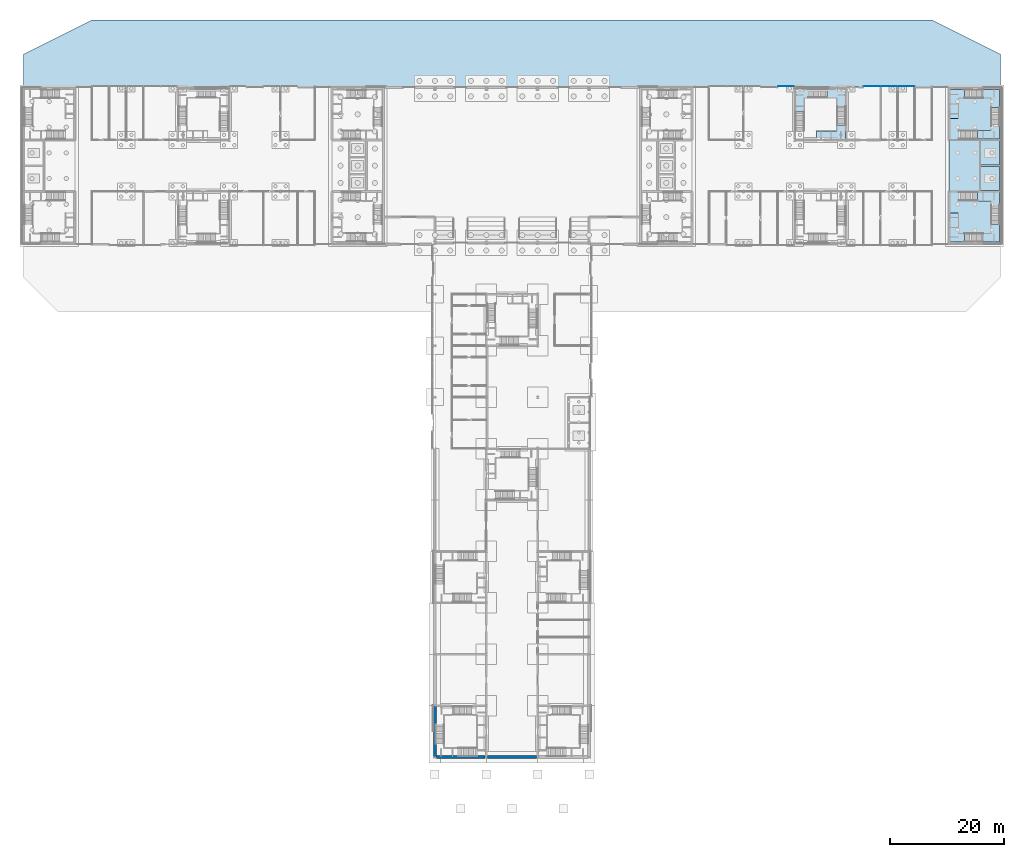
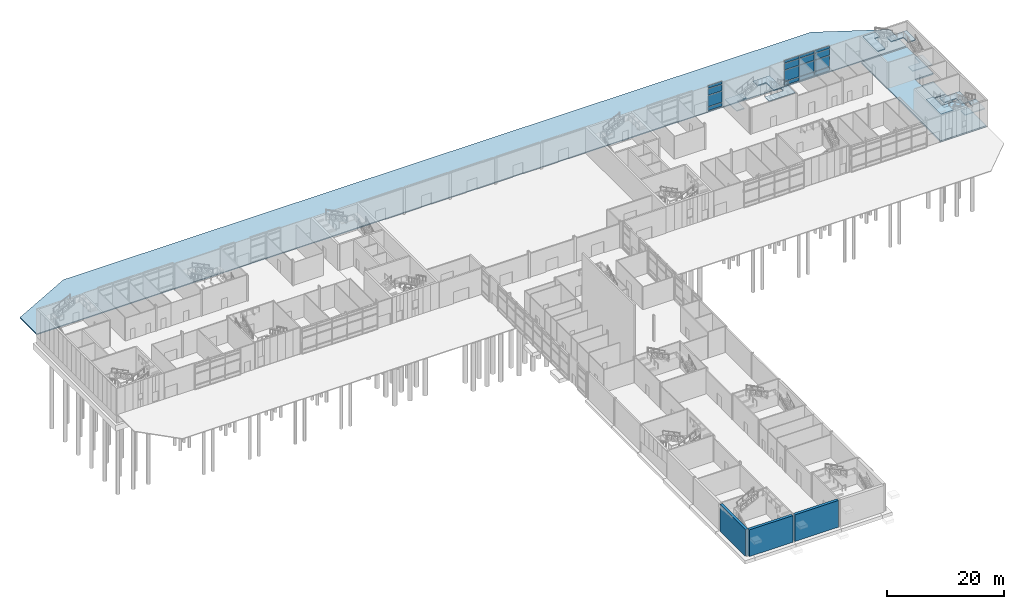
# One storey, part 25 of 45: 16 plates, 13 slabs, 3 walls, 5 elements without a shape of their own.
"""IFC4 building model written with IfcOpenShell, lengths in metres."""

import ifcopenshell
import ifcopenshell.guid

model = None  # the IFC model being written
_history = None  # IfcOwnerHistory: only IFC2X3 demands one
_inside = {}  # id of a spatial element -> (the spatial element, [elements in it])
_under = {}  # id of a project, library or spatial element -> (it, [spatial elements below it])
_declared = {}  # id of a project -> (the project, [libraries it declares])
_typed = {}  # id of a type object -> (the type object, [elements of that type])
_made_of = {}  # id of a material, layer set ... -> (it, [elements and type objects made of it])


def new_model(schema):
    """Start an empty IFC model of exactly this schema.

    Asked for "IFC4X3", IfcOpenShell would pick the latest addendum, in which some entities
    have other attributes; the version numbers below select the first issue.
    IFC2X3 requires an IfcOwnerHistory on every rooted entity: one is made here for all.
    """
    global model, _history
    if schema == "IFC4X3":
        model = ifcopenshell.file(schema_version=(4, 3, 0, 0))
    else:
        model = ifcopenshell.file(schema=schema)
    _inside.clear()
    _under.clear()
    _declared.clear()
    _typed.clear()
    _made_of.clear()
    _history = None
    if model.schema == "IFC2X3":
        org = make("IfcOrganization", Name="unknown")
        user = make(
            "IfcPersonAndOrganization",
            ThePerson=make("IfcPerson", FamilyName="unknown"),
            TheOrganization=org,
        )
        app = make(
            "IfcApplication",
            ApplicationDeveloper=org,
            Version="unknown",
            ApplicationFullName="unknown",
            ApplicationIdentifier="unknown",
        )
        _history = make(
            "IfcOwnerHistory",
            OwningUser=user,
            OwningApplication=app,
            ChangeAction="ADDED",
            CreationDate=0,
        )
    return model


def make(cls, **values):
    """One entity of the class cls with the attributes given. An attribute that is None is left unset."""
    return model.create_entity(
        cls, **{name: value for name, value in values.items() if value is not None}
    )


def rooted(cls, **values):
    """An entity with a GlobalId (a new one), such as an element, a storey or a relation."""
    return make(cls, GlobalId=ifcopenshell.guid.new(), OwnerHistory=_history, **values)


def si_unit(unit_type, name, prefix=None):
    """IfcSIUnit, for example si_unit("LENGTHUNIT", "METRE", prefix="MILLI")."""
    return make("IfcSIUnit", UnitType=unit_type, Prefix=prefix, Name=name)


def assignment(units):
    """IfcUnitAssignment: the units of a project."""
    return None if units is None else make("IfcUnitAssignment", Units=units)


def point(xyz):
    """IfcCartesianPoint."""
    return None if xyz is None else make("IfcCartesianPoint", Coordinates=xyz)


def direction(xyz):
    """IfcDirection."""
    return None if xyz is None else make("IfcDirection", DirectionRatios=xyz)


def frame(location, z_axis=None, x_axis=None):
    """IfcAxis2Placement3D, a coordinate frame: its origin and axes. An axis left out is left unset."""
    return make(
        "IfcAxis2Placement3D",
        Location=point(location),
        Axis=direction(z_axis),
        RefDirection=direction(x_axis),
    )


def frame_2d(location, x_axis=None):
    """IfcAxis2Placement2D, a coordinate frame in the plane: its origin and x axis."""
    return make(
        "IfcAxis2Placement2D", Location=point(location), RefDirection=direction(x_axis)
    )


def origin():
    """The frame at (0, 0, 0) with its axes left unset."""
    return frame((0.0, 0.0, 0.0))


def origin_2d():
    """The frame at (0, 0) in the plane with its x axis left unset."""
    return frame_2d((0.0, 0.0))


def place(relative_to, where):
    """IfcLocalPlacement: puts the frame where relative to a parent placement (None: the world)."""
    return make(
        "IfcLocalPlacement", PlacementRelTo=relative_to, RelativePlacement=where
    )


def context(
    kind, dimensions, precision=None, world=None, true_north=None, identifier=None
):
    """IfcGeometricRepresentationContext, for example the 3D "Model" context."""
    return make(
        "IfcGeometricRepresentationContext",
        ContextIdentifier=identifier,
        ContextType=kind,
        CoordinateSpaceDimension=dimensions,
        Precision=precision,
        WorldCoordinateSystem=world,
        TrueNorth=true_north,
    )


def subcontext(parent, identifier, kind, view, scale=None):
    """IfcGeometricRepresentationSubContext, for example "Body" below "Model"."""
    return make(
        "IfcGeometricRepresentationSubContext",
        ContextIdentifier=identifier,
        ContextType=kind,
        ParentContext=parent,
        TargetScale=scale,
        TargetView=view,
    )


def project(units=None, contexts=None):
    """IfcProject with its units and contexts."""
    return rooted(
        "IfcProject",
        Name="project",
        RepresentationContexts=contexts,
        UnitsInContext=assignment(units),
    )


def spatial(cls, under=None, at=None, **own):
    """A site, building, storey or space (cls), placed at a placement, below another one or the project."""
    s = rooted(cls, ObjectPlacement=at, **own)
    if under is not None:
        _under.setdefault(under.id(), (under, []))[1].append(s)
    return s


def polyline(points):
    """IfcPolyline through the points."""
    return make("IfcPolyline", Points=[point(p) for p in points])


def profile(cls, at=None, kind="AREA", **sizes):
    """A parametric profile (cls). Its sizes go by their IFC names, for example OverallWidth=200.0."""
    return make(cls, ProfileType=kind, Position=at, **sizes)


def rectangle(**sizes):
    """IfcRectangleProfileDef."""
    return profile("IfcRectangleProfileDef", **sizes)


def outline(outer, holes=None, kind="AREA"):
    """IfcArbitraryClosedProfileDef: a profile drawn as a closed curve; with holes, ...WithVoids."""
    if holes is None:
        return make("IfcArbitraryClosedProfileDef", ProfileType=kind, OuterCurve=outer)
    return make(
        "IfcArbitraryProfileDefWithVoids",
        ProfileType=kind,
        OuterCurve=outer,
        InnerCurves=holes,
    )


def extrude(swept, where, along, depth):
    """IfcExtrudedAreaSolid: the profile swept, set in the frame where, extruded along a direction by depth."""
    return make(
        "IfcExtrudedAreaSolid",
        SweptArea=swept,
        Position=where,
        ExtrudedDirection=direction(along),
        Depth=depth,
    )


def shape(context_of_items, identifier, shape_type, items):
    """IfcShapeRepresentation: the items that make up one representation, for example the "Body"."""
    return make(
        "IfcShapeRepresentation",
        ContextOfItems=context_of_items,
        RepresentationIdentifier=identifier,
        RepresentationType=shape_type,
        Items=items,
    )


def material(Name=None, Category=None):
    """IfcMaterial."""
    return make("IfcMaterial", Name=Name, Category=Category)


def layer(
    of_material, thickness, ventilated=None, Name=None, Category=None, Priority=None
):
    """IfcMaterialLayer: one layer of a wall or slab, of a material (None: an air gap)."""
    return make(
        "IfcMaterialLayer",
        Material=of_material,
        LayerThickness=thickness,
        IsVentilated=ventilated,
        Name=Name,
        Category=Category,
        Priority=Priority,
    )


def layer_set(layers, Name=None):
    """IfcMaterialLayerSet."""
    return make("IfcMaterialLayerSet", MaterialLayers=layers, LayerSetName=Name)


def made_of(thing, what):
    """Note that an element or type object is made of a material, layer set ...; save() writes the relation."""
    if what is not None:
        _made_of.setdefault(what.id(), (what, []))[1].append(thing)
    return thing


def type_object(cls, material=None, **own):
    """A type object (cls), such as IfcWallType, which elements share."""
    return made_of(rooted(cls, **own), material)


def element(
    cls,
    number,
    at=None,
    inside=None,
    cuts=None,
    type_object=None,
    material=None,
    context=None,
    identifier="Body",
    shape_type=None,
    held_by="IfcProductDefinitionShape",
    body=None,
    shapes=None,
    **own,
):
    """One element of the class cls, such as IfcWall. Its Tag is "e" and its number.

    at: its placement. inside: the storey or other place that contains it. cuts: it is an
    opening in that element (IfcRelVoidsElement). A single representation is given by context,
    identifier, shape_type and body (its items); several are given by shapes. held_by: the class
    of the entity that holds the representations. save() writes the other relations.
    """
    e = rooted(cls, Tag="e%d" % number, ObjectPlacement=at, **own)
    if body is not None:
        shapes = [shape(context, identifier, shape_type, body)]
    if shapes is not None:
        e.Representation = make(held_by, Representations=shapes)
    if inside is not None:
        _inside.setdefault(inside.id(), (inside, []))[1].append(e)
    if cuts is not None:
        rooted(
            "IfcRelVoidsElement", RelatingBuildingElement=cuts, RelatedOpeningElement=e
        )
    if type_object is not None:
        _typed.setdefault(type_object.id(), (type_object, []))[1].append(e)
    return made_of(e, material)


def aggregate(whole, parts):
    """IfcRelAggregates: a whole, such as a stair, and the parts it consists of."""
    return rooted("IfcRelAggregates", RelatingObject=whole, RelatedObjects=parts)


def save(model, path):
    """Write the relations noted so far, then the file.

    IfcRelAggregates (storeys below a building ...), IfcRelContainedInSpatialStructure (elements
    in a storey), IfcRelDefinesByType, IfcRelAssociatesMaterial and IfcRelDeclares: one each for
    every whole, place, type object, material and project.
    """
    for whole, parts in _under.values():
        aggregate(whole, parts)
    for where, things in _inside.values():
        rooted(
            "IfcRelContainedInSpatialStructure",
            RelatedElements=things,
            RelatingStructure=where,
        )
    for kind, things in _typed.values():
        rooted("IfcRelDefinesByType", RelatedObjects=things, RelatingType=kind)
    for what, things in _made_of.values():
        rooted("IfcRelAssociatesMaterial", RelatedObjects=things, RelatingMaterial=what)
    for by, libraries in _declared.values():
        rooted("IfcRelDeclares", RelatingContext=by, RelatedDefinitions=libraries)
    model.write(path)


model = new_model("IFC4")

# Units and contexts
model_context = context("Model", 3, precision=1e-05, world=origin(), true_north=direction((0.0, 1.0)))
body_context = subcontext(model_context, "Body", "Model", "MODEL_VIEW")
ifc_project = project(units=[si_unit("LENGTHUNIT", "METRE"), si_unit("AREAUNIT", "SQUARE_METRE"), si_unit("VOLUMEUNIT", "CUBIC_METRE"), si_unit("PLANEANGLEUNIT", "RADIAN"), si_unit("MASSUNIT", "GRAM", prefix="KILO")], contexts=[model_context])

# Site, building, storey
site_placement = place(None, origin())
site = spatial("IfcSite", under=ifc_project, at=site_placement, CompositionType="ELEMENT")
building_placement = place(site_placement, origin())
building = spatial("IfcBuilding", under=site, at=building_placement, Name="Azimuth Sports and Learning Centre", CompositionType="ELEMENT")
storey_placement = place(building_placement, origin())
storey = spatial("IfcBuildingStorey", under=building, at=storey_placement, Name="L00", CompositionType="ELEMENT", Elevation=0.0)

# Stair, slabs
ifc_material_1 = material(Name="Concrete C32/40", Category="concrete")
stair_type_1 = type_object("IfcStairType", Name="Square-well stair end core 5400 storey", PredefinedType="THREE_QUARTER_TURN_STAIR", material=ifc_material_1)
stair_1_placement = place(storey_placement, origin())
stair_1 = element("IfcStair", 1, at=stair_1_placement, inside=storey, type_object=stair_type_1, Name="Stair EW1 L00-L01", PredefinedType="THREE_QUARTER_TURN_STAIR")
ifc_material_2 = material(Name="Concrete C32/40", Category="concrete")
ifc_layer_1 = layer(ifc_material_2, 0.199951171875)
ifc_layer_set_1 = layer_set([ifc_layer_1], Name="Concrete C32/40")
slab_type_1 = type_object("IfcSlabType", Name="Concrete stair landing", PredefinedType="LANDING", material=ifc_layer_set_1)
slab_1_placement = place(storey_placement, frame((0.0, 0.0, 1.60009765625)))
slab_1 = element("IfcSlab", 2, at=slab_1_placement, type_object=slab_type_1, Name="Stair EW1 L00 landing 1", PredefinedType="LANDING", context=body_context, shape_type="SweptSolid", body=[
    extrude(outline(polyline([(169.340087890625, 97.364990234375), (169.340087890625, 95.514892578125), (170.840087890625, 95.514892578125), (170.840087890625, 98.864990234375), (166.959228515625, 98.864990234375), (166.959228515625, 97.364990234375), (169.340087890625, 97.364990234375)])), origin(), (0.0, 0.0, 1.0), 0.199951171875),
])
slab_2_placement = place(storey_placement, frame((0.0, 0.0, 3.39990234375)))
slab_2 = element("IfcSlab", 3, at=slab_2_placement, type_object=slab_type_1, Name="Stair EW1 L00 landing 2", PredefinedType="LANDING", context=body_context, shape_type="SweptSolid", body=[
    extrude(outline(polyline([(169.340087890625, 91.659912109375), (166.889892578125, 91.659912109375), (166.889892578125, 90.159912109375), (170.840087890625, 90.159912109375), (170.840087890625, 93.315673828125), (169.340087890625, 93.315673828125), (169.340087890625, 91.659912109375)])), origin(), (0.0, 0.0, 1.0), 0.2001953125),
])
slab_3_placement = place(storey_placement, frame((0.0, 0.0, 5.199951171875)))
slab_3 = element("IfcSlab", 4, at=slab_3_placement, type_object=slab_type_1, Name="Stair EW1 L00 landing 3", PredefinedType="LANDING", context=body_context, shape_type="SweptSolid", body=[
    extrude(outline(polyline([(163.659912109375, 91.659912109375), (163.659912109375, 95.25), (162.159912109375, 95.25), (162.159912109375, 90.159912109375), (164.690673828125, 90.159912109375), (164.690673828125, 91.659912109375), (163.659912109375, 91.659912109375)])), origin(), (0.0, 0.0, 1.0), 0.199951171875),
])
aggregate(stair_1, [slab_1, slab_2, slab_3])

stair_2_placement = place(storey_placement, origin())
stair_2 = element("IfcStair", 5, at=stair_2_placement, inside=storey, type_object=stair_type_1, Name="Stair EW2 L00-L01", PredefinedType="THREE_QUARTER_TURN_STAIR")
slab_4_placement = place(storey_placement, frame((0.0, 0.0, 1.60009765625)))
slab_4 = element("IfcSlab", 6, at=slab_4_placement, type_object=slab_type_1, Name="Stair EW2 L00 landing 1", PredefinedType="LANDING", context=body_context, shape_type="SweptSolid", body=[
    extrude(outline(polyline([(169.340087890625, 109.635009765625), (166.959228515625, 109.635009765625), (166.959228515625, 108.135009765625), (170.840087890625, 108.135009765625), (170.840087890625, 111.485107421875), (169.340087890625, 111.485107421875), (169.340087890625, 109.635009765625)])), origin(), (0.0, 0.0, 1.0), 0.199951171875),
])
slab_5_placement = place(storey_placement, frame((0.0, 0.0, 3.39990234375)))
slab_5 = element("IfcSlab", 7, at=slab_5_placement, type_object=slab_type_1, Name="Stair EW2 L00 landing 2", PredefinedType="LANDING", context=body_context, shape_type="SweptSolid", body=[
    extrude(outline(polyline([(169.340087890625, 115.340087890625), (169.340087890625, 113.684326171875), (170.840087890625, 113.684326171875), (170.840087890625, 116.840087890625), (166.889892578125, 116.840087890625), (166.889892578125, 115.340087890625), (169.340087890625, 115.340087890625)])), origin(), (0.0, 0.0, 1.0), 0.2001953125),
])
slab_6_placement = place(storey_placement, frame((0.0, 0.0, 5.199951171875)))
slab_6 = element("IfcSlab", 8, at=slab_6_placement, type_object=slab_type_1, Name="Stair EW2 L00 landing 3", PredefinedType="LANDING", context=body_context, shape_type="SweptSolid", body=[
    extrude(outline(polyline([(163.659912109375, 115.340087890625), (164.690673828125, 115.340087890625), (164.690673828125, 116.840087890625), (162.159912109375, 116.840087890625), (162.159912109375, 111.75), (163.659912109375, 111.75), (163.659912109375, 115.340087890625)])), origin(), (0.0, 0.0, 1.0), 0.199951171875),
])
aggregate(stair_2, [slab_4, slab_5, slab_6])

ifc_material_3 = material(Name="Concrete C32/40", Category="concrete")
stair_type_2 = type_object("IfcStairType", Name="Square-well stair mid-wing cell 5400 storey", PredefinedType="THREE_QUARTER_TURN_STAIR", material=ifc_material_3)
stair_3_placement = place(storey_placement, origin())
stair_3 = element("IfcStair", 9, at=stair_3_placement, inside=storey, type_object=stair_type_2, Name="Stair EM2 L00-L01", PredefinedType="THREE_QUARTER_TURN_STAIR")
slab_7_placement = place(storey_placement, frame((0.0, 0.0, 1.60009765625)))
slab_7 = element("IfcSlab", 10, at=slab_7_placement, type_object=slab_type_1, Name="Stair EM2 L00 landing 1", PredefinedType="LANDING", context=body_context, shape_type="SweptSolid", body=[
    extrude(outline(polyline([(136.610107421875, 115.389892578125), (138.4599609375, 115.389892578125), (138.4599609375, 116.889892578125), (135.110107421875, 116.889892578125), (135.110107421875, 112.9091796875), (136.610107421875, 112.9091796875), (136.610107421875, 115.389892578125)])), origin(), (0.0, 0.0, 1.0), 0.199951171875),
])
slab_8_placement = place(storey_placement, frame((0.0, 0.0, 3.39990234375)))
slab_8 = element("IfcSlab", 11, at=slab_8_placement, type_object=slab_type_1, Name="Stair EM2 L00 landing 2", PredefinedType="LANDING", context=body_context, shape_type="SweptSolid", body=[
    extrude(outline(polyline([(142.389892578125, 115.389892578125), (142.389892578125, 112.7900390625), (143.889892578125, 112.7900390625), (143.889892578125, 116.889892578125), (140.6591796875, 116.889892578125), (140.6591796875, 115.389892578125), (142.389892578125, 115.389892578125)])), origin(), (0.0, 0.0, 1.0), 0.2001953125),
])
slab_9_placement = place(storey_placement, frame((0.0, 0.0, 5.199951171875)))
slab_9 = element("IfcSlab", 12, at=slab_9_placement, type_object=slab_type_1, Name="Stair EM2 L00 landing 3", PredefinedType="LANDING", context=body_context, shape_type="SweptSolid", body=[
    extrude(outline(polyline([(142.389892578125, 109.610107421875), (138.75, 109.610107421875), (138.75, 108.110107421875), (143.889892578125, 108.110107421875), (143.889892578125, 110.5908203125), (142.389892578125, 110.5908203125), (142.389892578125, 109.610107421875)])), origin(), (0.0, 0.0, 1.0), 0.199951171875),
])
aggregate(stair_3, [slab_7, slab_8, slab_9])

# Slabs
ifc_material_4 = material(Name="Concrete C30/37", Category="concrete")
ifc_layer_2 = layer(ifc_material_4, 0.300048828125)
ifc_layer_set_2 = layer_set([ifc_layer_2], Name="Concrete C30/37")
slab_type_2 = type_object("IfcSlabType", Name="Core ground slab 300", PredefinedType="BASESLAB", material=ifc_layer_set_2)
slab_10_placement = place(storey_placement, frame((0.0, 0.0, -0.300048828125)))
element("IfcSlab", 13, at=slab_10_placement, inside=storey, type_object=slab_type_2, Name="Slab East end core L00", PredefinedType="BASESLAB", context=body_context, shape_type="SweptSolid", body=[
    extrude(outline(polyline([(162.0, 90.0), (171.0, 90.0), (171.0, 99.0), (167.39990234375, 99.0), (167.39990234375, 108.0), (171.0, 108.0), (171.0, 117.0), (162.0, 117.0), (162.0, 90.0)])), origin(), (0.0, 0.0, 1.0), 0.300048828125),
])
ifc_material_5 = material(Name="Concrete C32/40", Category="concrete")
ifc_layer_3 = layer(ifc_material_5, 0.300048828125)
ifc_layer_set_3 = layer_set([ifc_layer_3], Name="Concrete C32/40")
slab_type_3 = type_object("IfcSlabType", Name="Lift pit slab 300", PredefinedType="BASESLAB", material=ifc_layer_set_3)
slab_11_placement = place(storey_placement, frame((0.0, 0.0, -1.89990234375)))
element("IfcSlab", 14, at=slab_11_placement, inside=storey, type_object=slab_type_3, Name="Lift pit floor LEW1", PredefinedType="BASESLAB", context=body_context, shape_type="SweptSolid", body=[
    extrude(outline(polyline([(167.52490234375, 99.125), (170.85009765625, 99.125), (170.85009765625, 103.39990234375), (167.52490234375, 103.39990234375), (167.52490234375, 99.125)])), origin(), (0.0, 0.0, 1.0), 0.2998046875),
])
slab_12_placement = place(storey_placement, frame((0.0, 0.0, -1.89990234375)))
element("IfcSlab", 15, at=slab_12_placement, inside=storey, type_object=slab_type_3, Name="Lift pit floor LEW2", PredefinedType="BASESLAB", context=body_context, shape_type="SweptSolid", body=[
    extrude(outline(polyline([(167.52490234375, 103.60009765625), (170.85009765625, 103.60009765625), (170.85009765625, 107.875), (167.52490234375, 107.875), (167.52490234375, 103.60009765625)])), origin(), (0.0, 0.0, 1.0), 0.2998046875),
])
ifc_material_6 = material(Name="Concrete C25/30", Category="concrete")
ifc_layer_4 = layer(ifc_material_6, 0.199951171875)
ifc_layer_set_4 = layer_set([ifc_layer_4], Name="Concrete C25/30")
slab_type_4 = type_object("IfcSlabType", Name="Paving slab 200", PredefinedType="USERDEFINED", material=ifc_layer_set_4)
slab_13_placement = place(storey_placement, frame((0.0, 0.0, -0.199951171875)))
element("IfcSlab", 16, at=slab_13_placement, inside=storey, type_object=slab_type_4, Name="Slab North paving L00", ObjectType="PAVING", PredefinedType="USERDEFINED", context=body_context, shape_type="SweptSolid", body=[
    extrude(outline(polyline([(0.0, 117.300048828125), (171.0, 117.300048828125), (171.0, 123.0), (159.0, 129.0), (12.0, 129.0), (0.0, 123.0), (0.0, 117.300048828125)])), origin(), (0.0, 0.0, 1.0), 0.199951171875),
])

# Curtain wall, plates
ifc_material_7 = material(Name="Aluminium and glass", Category="aluminium")
curtain_wall_type = type_object("IfcCurtainWallType", Name="Curtain wall podium wing 240", PredefinedType="NOTDEFINED", material=ifc_material_7)
curtain_wall_1_placement = place(storey_placement, origin())
curtain_wall_1 = element("IfcCurtainWall", 17, at=curtain_wall_1_placement, inside=storey, type_object=curtain_wall_type, Name="Curtain wall CW00-011", PredefinedType="NOTDEFINED")
ifc_material_8 = material(Name="Insulated aluminium panel", Category="aluminium")
ifc_layer_5 = layer(ifc_material_8, 0.06005859375)
ifc_layer_set_5 = layer_set([ifc_layer_5], Name="Insulated aluminium panel")
plate_type_1 = type_object("IfcPlateType", Name="Spandrel panel 60 mm", PredefinedType="CURTAIN_PANEL", material=ifc_layer_set_5)
plate_1_placement = place(storey_placement, frame((154.47998046875, 117.419921875, 0.1201171875), z_axis=(0.0, 0.0, 1.0), x_axis=(-1.0, 0.0, 0.0)))
plate_1 = element("IfcPlate", 18, at=plate_1_placement, type_object=plate_type_1, Name="CW00-011 panel 1.1", PredefinedType="CURTAIN_PANEL", context=body_context, shape_type="SweptSolid", body=[
    extrude(rectangle(XDim=2.8798828125, YDim=0.06005859375, at=origin_2d()), origin(), (0.0, 0.0, 1.0), 0.719970703125),
])
plate_2_placement = place(storey_placement, frame((154.47998046875, 117.419921875, 4.760009765625), z_axis=(0.0, 0.0, 1.0), x_axis=(-1.0, 0.0, 0.0)))
plate_2 = element("IfcPlate", 19, at=plate_2_placement, type_object=plate_type_1, Name="CW00-011 panel 1.4", PredefinedType="CURTAIN_PANEL", context=body_context, shape_type="SweptSolid", body=[
    extrude(rectangle(XDim=2.8798828125, YDim=0.06005859375, at=origin_2d()), origin(), (0.0, 0.0, 1.0), 0.52001953125),
])
plate_3_placement = place(storey_placement, frame((151.5, 117.419921875, 0.1201171875), z_axis=(0.0, 0.0, 1.0), x_axis=(-1.0, 0.0, 0.0)))
plate_3 = element("IfcPlate", 20, at=plate_3_placement, type_object=plate_type_1, Name="CW00-011 panel 2.1", PredefinedType="CURTAIN_PANEL", context=body_context, shape_type="SweptSolid", body=[
    extrude(rectangle(XDim=2.919921875, YDim=0.06005859375, at=origin_2d()), origin(), (0.0, 0.0, 1.0), 0.719970703125),
])
plate_4_placement = place(storey_placement, frame((151.5, 117.419921875, 4.760009765625), z_axis=(0.0, 0.0, 1.0), x_axis=(-1.0, 0.0, 0.0)))
plate_4 = element("IfcPlate", 21, at=plate_4_placement, type_object=plate_type_1, Name="CW00-011 panel 2.4", PredefinedType="CURTAIN_PANEL", context=body_context, shape_type="SweptSolid", body=[
    extrude(rectangle(XDim=2.919921875, YDim=0.06005859375, at=origin_2d()), origin(), (0.0, 0.0, 1.0), 0.52001953125),
])
plate_5_placement = place(storey_placement, frame((148.52001953125, 117.419921875, 0.1201171875), z_axis=(0.0, 0.0, 1.0), x_axis=(-1.0, 0.0, 0.0)))
plate_5 = element("IfcPlate", 22, at=plate_5_placement, type_object=plate_type_1, Name="CW00-011 panel 3.1", PredefinedType="CURTAIN_PANEL", context=body_context, shape_type="SweptSolid", body=[
    extrude(rectangle(XDim=2.8798828125, YDim=0.06005859375, at=origin_2d()), origin(), (0.0, 0.0, 1.0), 0.719970703125),
])
plate_6_placement = place(storey_placement, frame((148.52001953125, 117.419921875, 4.760009765625), z_axis=(0.0, 0.0, 1.0), x_axis=(-1.0, 0.0, 0.0)))
plate_6 = element("IfcPlate", 23, at=plate_6_placement, type_object=plate_type_1, Name="CW00-011 panel 3.4", PredefinedType="CURTAIN_PANEL", context=body_context, shape_type="SweptSolid", body=[
    extrude(rectangle(XDim=2.8798828125, YDim=0.06005859375, at=origin_2d()), origin(), (0.0, 0.0, 1.0), 0.52001953125),
])

curtain_wall_2_placement = place(storey_placement, origin())
curtain_wall_2 = element("IfcCurtainWall", 24, at=curtain_wall_2_placement, inside=storey, type_object=curtain_wall_type, Name="Curtain wall CW00-012", PredefinedType="NOTDEFINED")
plate_7_placement = place(storey_placement, frame((133.449951171875, 117.419921875, 0.1201171875), z_axis=(0.0, 0.0, 1.0), x_axis=(-1.0, 0.0, 0.0)))
plate_7 = element("IfcPlate", 25, at=plate_7_placement, type_object=plate_type_1, Name="CW00-012 panel 1.1", PredefinedType="CURTAIN_PANEL", context=body_context, shape_type="SweptSolid", body=[
    extrude(rectangle(XDim=2.739990234375, YDim=0.06005859375, at=origin_2d()), origin(), (0.0, 0.0, 1.0), 0.719970703125),
])
plate_8_placement = place(storey_placement, frame((133.449951171875, 117.419921875, 4.760009765625), z_axis=(0.0, 0.0, 1.0), x_axis=(-1.0, 0.0, 0.0)))
plate_8 = element("IfcPlate", 26, at=plate_8_placement, type_object=plate_type_1, Name="CW00-012 panel 1.4", PredefinedType="CURTAIN_PANEL", context=body_context, shape_type="SweptSolid", body=[
    extrude(rectangle(XDim=2.739990234375, YDim=0.06005859375, at=origin_2d()), origin(), (0.0, 0.0, 1.0), 0.52001953125),
])

# Plate
ifc_material_9 = material(Name="Glass", Category="glass")
ifc_layer_6 = layer(ifc_material_9, 0.0439453125)
ifc_layer_set_6 = layer_set([ifc_layer_6], Name="Glass")
plate_type_2 = type_object("IfcPlateType", Name="Vision glass 44 mm", PredefinedType="CURTAIN_PANEL", material=ifc_layer_set_6)
plate_9_placement = place(storey_placement, frame((154.47998046875, 117.419921875, 0.9599609375), z_axis=(0.0, 0.0, 1.0), x_axis=(-1.0, 0.0, 0.0)))
plate_9 = element("IfcPlate", 27, at=plate_9_placement, type_object=plate_type_2, Name="CW00-011 panel 1.2", PredefinedType="CURTAIN_PANEL", context=body_context, shape_type="SweptSolid", body=[
    extrude(rectangle(XDim=2.8798828125, YDim=0.0439453125, at=origin_2d()), origin(), (0.0, 0.0, 1.0), 2.280029296875),
])

plate_10_placement = place(storey_placement, frame((154.47998046875, 117.419921875, 3.35986328125), z_axis=(0.0, 0.0, 1.0), x_axis=(-1.0, 0.0, 0.0)))
plate_10 = element("IfcPlate", 28, at=plate_10_placement, type_object=plate_type_2, Name="CW00-011 panel 1.3", PredefinedType="CURTAIN_PANEL", context=body_context, shape_type="SweptSolid", body=[
    extrude(rectangle(XDim=2.8798828125, YDim=0.0439453125, at=origin_2d()), origin(), (0.0, 0.0, 1.0), 1.280029296875),
])

plate_11_placement = place(storey_placement, frame((151.5, 117.419921875, 0.9599609375), z_axis=(0.0, 0.0, 1.0), x_axis=(-1.0, 0.0, 0.0)))
plate_11 = element("IfcPlate", 29, at=plate_11_placement, type_object=plate_type_2, Name="CW00-011 panel 2.2", PredefinedType="CURTAIN_PANEL", context=body_context, shape_type="SweptSolid", body=[
    extrude(rectangle(XDim=2.919921875, YDim=0.0439453125, at=origin_2d()), origin(), (0.0, 0.0, 1.0), 2.280029296875),
])

plate_12_placement = place(storey_placement, frame((151.5, 117.419921875, 3.35986328125), z_axis=(0.0, 0.0, 1.0), x_axis=(-1.0, 0.0, 0.0)))
plate_12 = element("IfcPlate", 30, at=plate_12_placement, type_object=plate_type_2, Name="CW00-011 panel 2.3", PredefinedType="CURTAIN_PANEL", context=body_context, shape_type="SweptSolid", body=[
    extrude(rectangle(XDim=2.919921875, YDim=0.0439453125, at=origin_2d()), origin(), (0.0, 0.0, 1.0), 1.280029296875),
])

plate_13_placement = place(storey_placement, frame((148.52001953125, 117.419921875, 0.9599609375), z_axis=(0.0, 0.0, 1.0), x_axis=(-1.0, 0.0, 0.0)))
plate_13 = element("IfcPlate", 31, at=plate_13_placement, type_object=plate_type_2, Name="CW00-011 panel 3.2", PredefinedType="CURTAIN_PANEL", context=body_context, shape_type="SweptSolid", body=[
    extrude(rectangle(XDim=2.8798828125, YDim=0.0439453125, at=origin_2d()), origin(), (0.0, 0.0, 1.0), 2.280029296875),
])

plate_14_placement = place(storey_placement, frame((148.52001953125, 117.419921875, 3.35986328125), z_axis=(0.0, 0.0, 1.0), x_axis=(-1.0, 0.0, 0.0)))
plate_14 = element("IfcPlate", 32, at=plate_14_placement, type_object=plate_type_2, Name="CW00-011 panel 3.3", PredefinedType="CURTAIN_PANEL", context=body_context, shape_type="SweptSolid", body=[
    extrude(rectangle(XDim=2.8798828125, YDim=0.0439453125, at=origin_2d()), origin(), (0.0, 0.0, 1.0), 1.280029296875),
])

aggregate(curtain_wall_1, [plate_1, plate_9, plate_10, plate_2, plate_3, plate_11, plate_12, plate_4, plate_5, plate_13, plate_14, plate_6])

plate_15_placement = place(storey_placement, frame((133.449951171875, 117.419921875, 0.9599609375), z_axis=(0.0, 0.0, 1.0), x_axis=(-1.0, 0.0, 0.0)))
plate_15 = element("IfcPlate", 33, at=plate_15_placement, type_object=plate_type_2, Name="CW00-012 panel 1.2", PredefinedType="CURTAIN_PANEL", context=body_context, shape_type="SweptSolid", body=[
    extrude(rectangle(XDim=2.739990234375, YDim=0.0439453125, at=origin_2d()), origin(), (0.0, 0.0, 1.0), 2.280029296875),
])

plate_16_placement = place(storey_placement, frame((133.449951171875, 117.419921875, 3.35986328125), z_axis=(0.0, 0.0, 1.0), x_axis=(-1.0, 0.0, 0.0)))
plate_16 = element("IfcPlate", 34, at=plate_16_placement, type_object=plate_type_2, Name="CW00-012 panel 1.3", PredefinedType="CURTAIN_PANEL", context=body_context, shape_type="SweptSolid", body=[
    extrude(rectangle(XDim=2.739990234375, YDim=0.0439453125, at=origin_2d()), origin(), (0.0, 0.0, 1.0), 1.280029296875),
])

aggregate(curtain_wall_2, [plate_7, plate_15, plate_16, plate_8])

# Walls
ifc_material_10 = material(Name="Concrete C30/37", Category="concrete")
ifc_layer_7 = layer(ifc_material_10, 0.550048828125)
ifc_layer_set_7 = layer_set([ifc_layer_7], Name="Concrete C30/37")
wall_type = type_object("IfcWallType", Name="RC retaining wall 550", PredefinedType="SOLIDWALL", material=ifc_layer_set_7)
wall_1_placement = place(storey_placement, frame((72.0, 0.14990234375, -0.300048828125), z_axis=(0.0, 0.0, 1.0), x_axis=(0.0, 1.0, 0.0)))
element("IfcWall", 35, at=wall_1_placement, inside=storey, type_object=wall_type, Name="Retaining wall W1", PredefinedType="SOLIDWALL", context=body_context, shape_type="SweptSolid", body=[
    extrude(rectangle(XDim=8.7001953125, YDim=0.550048828125, at=frame_2d((4.35009765625, 0.0))), origin(), (0.0, 0.0, 1.0), 5.550048828125),
])
wall_2_placement = place(storey_placement, frame((72.27490234375, 0.0, -0.300048828125), z_axis=(0.0, 0.0, 1.0), x_axis=(1.0, 0.0, 0.0)))
element("IfcWall", 36, at=wall_2_placement, inside=storey, type_object=wall_type, Name="Retaining wall S1", PredefinedType="SOLIDWALL", context=body_context, shape_type="SweptSolid", body=[
    extrude(rectangle(XDim=8.525146484375, YDim=0.550048828125, at=frame_2d((4.2626953125, 0.0))), origin(), (0.0, 0.0, 1.0), 5.550048828125),
])
wall_3_placement = place(storey_placement, frame((81.199951171875, 0.0, -0.300048828125), z_axis=(0.0, 0.0, 1.0), x_axis=(1.0, 0.0, 0.0)))
element("IfcWall", 37, at=wall_3_placement, inside=storey, type_object=wall_type, Name="Retaining wall S2", PredefinedType="SOLIDWALL", context=body_context, shape_type="SweptSolid", body=[
    extrude(rectangle(XDim=8.60009765625, YDim=0.550048828125, at=frame_2d((4.300048828125, 0.0))), origin(), (0.0, 0.0, 1.0), 5.550048828125),
])

save(model, "model.ifc")
